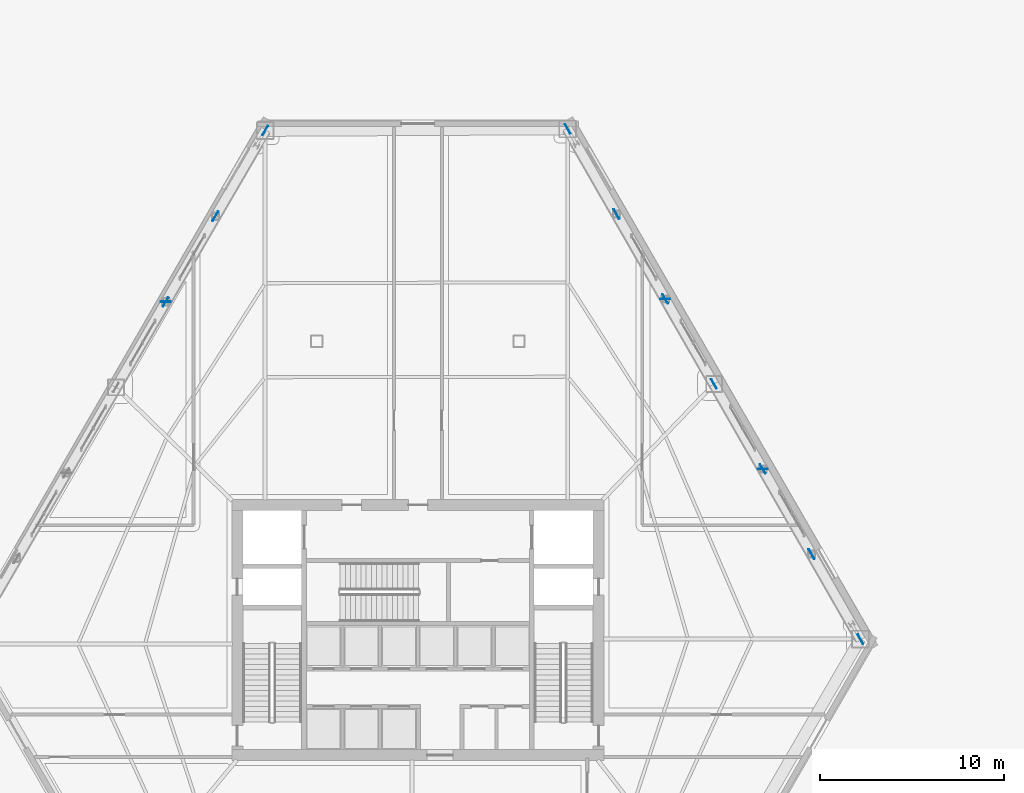
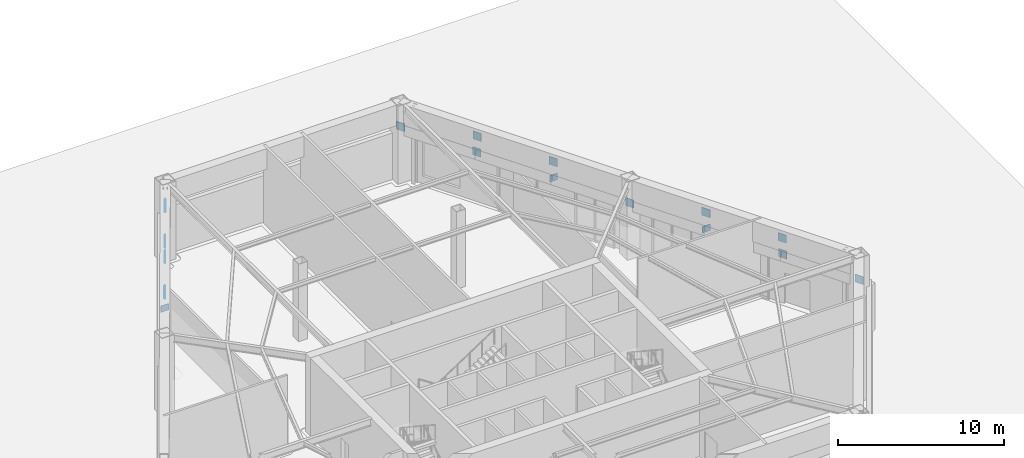
# One storey, part 13 of 20: 16 plates.
"""IFC4 building model written with IfcOpenShell, lengths in metres."""

from ifc_helpers import new_model, si_unit, direction, frame, origin, origin_2d, place, context, subcontext, project, spatial, rectangle, extrude, material, layer, layer_set, type_object, element, save


model = new_model("IFC4")

# Units and contexts
model_context = context("Model", 3, precision=1e-05, world=origin(), true_north=direction((0.0, 1.0)))
body_context = subcontext(model_context, "Body", "Model", "MODEL_VIEW")
ifc_project = project(units=[si_unit("LENGTHUNIT", "METRE"), si_unit("AREAUNIT", "SQUARE_METRE"), si_unit("VOLUMEUNIT", "CUBIC_METRE"), si_unit("PLANEANGLEUNIT", "RADIAN"), si_unit("MASSUNIT", "GRAM", prefix="KILO")], contexts=[model_context])

# Site, building, storey
site_placement = place(None, origin())
site = spatial("IfcSite", under=ifc_project, at=site_placement, CompositionType="ELEMENT")
building_placement = place(site_placement, origin())
building = spatial("IfcBuilding", under=site, at=building_placement, Name="Kavelnor Concourse Tower", CompositionType="ELEMENT")
storey_placement = place(building_placement, origin())
storey = spatial("IfcBuildingStorey", under=building, at=storey_placement, Name="L00", CompositionType="ELEMENT", Elevation=0.0)

# Plates
ifc_material = material(Name="Steel Grade 350", Category="steel")
ifc_layer = layer(ifc_material, 0.0400390625, Name="Steel Grade 350")
ifc_layer_set = layer_set([ifc_layer], Name="Steel Grade 350")
plate_type = type_object("IfcPlateType", Name="PL-GUSSET-XFER", PredefinedType="USERDEFINED", material=ifc_layer_set)
for number, where, z_axis, x_axis, name in (
    (1, (29.70068359375, 43.25927734375, 3.52490234375), (0.0, 0.0, 1.0), (-0.502416446459, -0.864625765478, 0.0), "L00 Transfer Diagonal F0-B0 End Gusset A"),
    (2, (26.986083984375, 38.5869140625, 4.68994140625), (0.0, 0.0, 1.0), (-0.502416446459, -0.864625765478, 0.0), "L00 Transfer Diagonal F0-B0 End Gusset B"),
    (3, (26.998046875, 38.607666015625, 3.52490234375), (0.0, 0.0, 1.0), (-0.502265533143, -0.86471344052, 0.0), "L00 Transfer Diagonal F0-B1 End Gusset A"),
    (4, (24.28369140625, 33.935302734375, 4.68994140625), (0.0, 0.0, 1.0), (-0.502265533143, -0.86471344052, 0.0), "L00 Transfer Diagonal F0-B1 End Gusset B"),
):
    element("IfcPlate", number, at=place(storey_placement, frame(where, z_axis=z_axis, x_axis=x_axis)), inside=storey, type_object=plate_type, Name=name, ObjectType="GUSSET_PLATE", PredefinedType="USERDEFINED", context=body_context, shape_type="SweptSolid", body=[
        extrude(rectangle(XDim=0.580078125, YDim=0.0400390625, at=origin_2d()), origin(), (0.0, 0.0, 1.0), 0.580078125),
    ])
plate_placement = place(storey_placement, frame((24.289794921875, 33.94580078125, 3.56298828125), z_axis=(0.0, 0.0, 1.0), x_axis=(1.0, 0.0, 0.0)))
element("IfcPlate", 5, at=plate_placement, inside=storey, type_object=plate_type, Name="L00 Transfer Truss Node Gusset GP1 F0-B2 End Gusset A", ObjectType="GUSSET_PLATE", PredefinedType="USERDEFINED", context=body_context, shape_type="SweptSolid", body=[
    extrude(rectangle(XDim=0.56005859375, YDim=0.0400390625, at=origin_2d()), origin(), (0.0, 0.0, 1.0), 0.47998046875),
])
for number, where, z_axis, x_axis, name in (
    (6, (62.056884765625, 15.602783203125, 3.52490234375), (0.0, 0.0, 1.0), (-0.497579654441, 0.867418288651, 0.0), "L00 Transfer Diagonal F2-B0 End Gusset A"),
    (7, (59.393798828125, 20.244384765625, 4.68994140625), (0.0, 0.0, 1.0), (-0.497579654441, 0.867418288651, 0.0), "L00 Transfer Diagonal F2-B0 End Gusset B"),
    (8, (59.406005859375, 20.2236328125, 3.52490234375), (0.0, 0.0, 1.0), (-0.497579654441, 0.867418288651, 0.0), "L00 Transfer Diagonal F2-B1 End Gusset A"),
    (9, (56.742919921875, 24.865478515625, 4.68994140625), (0.0, 0.0, 1.0), (-0.497579654441, 0.867418288651, 0.0), "L00 Transfer Diagonal F2-B1 End Gusset B"),
    (10, (54.091796875, 29.486328125, 3.52490234375), (0.0, 0.0, 1.0), (0.497579654441, -0.867418288651, 0.0), "L00 Transfer Diagonal F2-B2 End Gusset A"),
    (11, (51.44091796875, 34.107177734375, 4.68994140625), (0.0, 0.0, 1.0), (-0.497579654441, 0.867418288651, 0.0), "L00 Transfer Diagonal F2-B3 End Gusset B"),
    (12, (48.789794921875, 38.72802734375, 3.52490234375), (0.0, 0.0, 1.0), (0.497579654441, -0.867418288651, 0.0), "L00 Transfer Diagonal F2-B4 End Gusset A"),
    (13, (46.138916015625, 43.34912109375, 3.52490234375), (0.0, 0.0, 1.0), (0.497579654441, -0.867418288651, 0.0), "L00 Transfer Diagonal F2-B5 End Gusset A"),
    (14, (48.8017578125, 38.707275390625, 4.68994140625), (0.0, 0.0, 1.0), (0.497579654441, -0.867418288651, 0.0), "L00 Transfer Diagonal F2-B5 End Gusset B"),
):
    element("IfcPlate", number, at=place(storey_placement, frame(where, z_axis=z_axis, x_axis=x_axis)), inside=storey, type_object=plate_type, Name=name, ObjectType="GUSSET_PLATE", PredefinedType="USERDEFINED", context=body_context, shape_type="SweptSolid", body=[
        extrude(rectangle(XDim=0.580078125, YDim=0.0400390625, at=origin_2d()), origin(), (0.0, 0.0, 1.0), 0.580078125),
    ])
for number, where, z_axis, x_axis, name in (
    (15, (56.748779296875, 24.85498046875, 3.56298828125), (0.0, 0.0, 1.0), (1.0, 0.0, 0.0), "L00 Transfer Truss Node Gusset GP1 F2-B2 End Gusset A"),
    (16, (51.44677734375, 34.0966796875, 3.56298828125), (0.0, 0.0, 1.0), (1.0, 0.0, 0.0), "L00 Transfer Truss Node Gusset GP1 F2-B4 End Gusset A"),
):
    element("IfcPlate", number, at=place(storey_placement, frame(where, z_axis=z_axis, x_axis=x_axis)), inside=storey, type_object=plate_type, Name=name, ObjectType="GUSSET_PLATE", PredefinedType="USERDEFINED", context=body_context, shape_type="SweptSolid", body=[
        extrude(rectangle(XDim=0.56005859375, YDim=0.0400390625, at=origin_2d()), origin(), (0.0, 0.0, 1.0), 0.47998046875),
    ])

save(model, "model.ifc")
